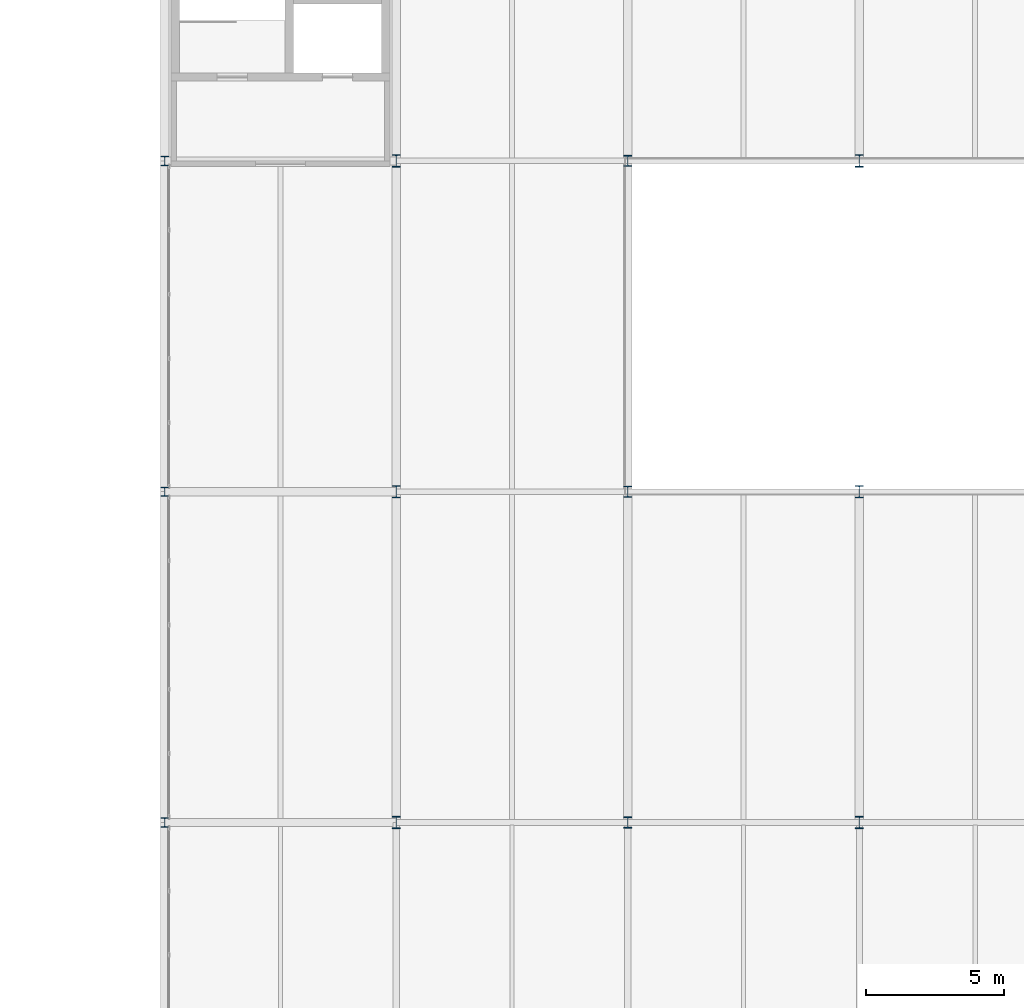
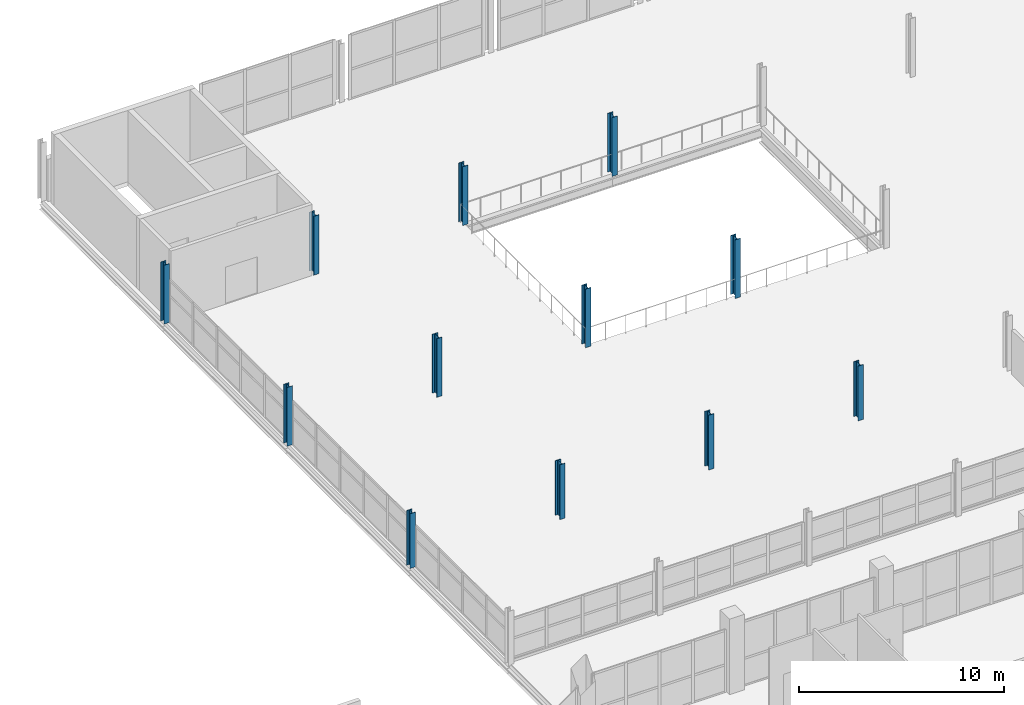
# One storey, part 2 of 103: 12 columns.
"""IFC4 building model written with IfcOpenShell, lengths in metres."""

from ifc_helpers import new_model, si_unit, direction, frame, origin, origin_2d, place, context, subcontext, project, spatial, i_section, extrude, material, material_profile, profile_set, type_object, element, save


model = new_model("IFC4")

# Units and contexts
model_context = context("Model", 3, precision=1e-05, world=origin(), true_north=direction((0.0, 1.0)))
body_context = subcontext(model_context, "Body", "Model", "MODEL_VIEW")
ifc_project = project(units=[si_unit("LENGTHUNIT", "METRE"), si_unit("AREAUNIT", "SQUARE_METRE"), si_unit("VOLUMEUNIT", "CUBIC_METRE"), si_unit("PLANEANGLEUNIT", "RADIAN"), si_unit("MASSUNIT", "GRAM", prefix="KILO")], contexts=[model_context])

# Site, building, storey
site_placement = place(None, origin())
site = spatial("IfcSite", under=ifc_project, at=site_placement, CompositionType="ELEMENT")
building_placement = place(site_placement, origin())
building = spatial("IfcBuilding", under=site, at=building_placement, Name="Veltarok Museum of Natural Sciences", CompositionType="ELEMENT")
storey_placement = place(building_placement, frame((0.0, 0.0, 21.89990234375)))
storey = spatial("IfcBuildingStorey", under=building, at=storey_placement, Name="L04", CompositionType="ELEMENT", Elevation=21.89990234375)

# Columns
ifc_material = material(Name="Steel S355J2", Category="steel")
ifc_material_profile_1 = material_profile(ifc_material, i_section(OverallWidth=0.300048828125, OverallDepth=0.340087890625, WebThickness=0.011962890625, FlangeThickness=0.021484375, FilletRadius=0.027099609375, at=origin_2d()), Name="HEB 340")
ifc_profile_set_1 = profile_set([ifc_material_profile_1], Name="Steel S355J2")
column_type_1 = type_object("IfcColumnType", Name="Perimeter Spine Column HEB 340", PredefinedType="COLUMN", material=ifc_profile_set_1)
column_1_placement = place(storey_placement, frame((40.0, 36.0, 0.0), z_axis=(0.0, 0.0, 1.0), x_axis=(1.0, 0.0, 0.0)))
element("IfcColumn", 1, at=column_1_placement, inside=storey, type_object=column_type_1, Name="Column COL-EXT05 L04 5/E", PredefinedType="COLUMN", context=body_context, shape_type="SweptSolid", body=[
    extrude(i_section(OverallWidth=0.300048828125, OverallDepth=0.340087890625, WebThickness=0.011962890625, FlangeThickness=0.021484375, FilletRadius=0.027099609375, at=origin_2d()), origin(), (0.0, 0.0, 1.0), 3.260009765625),
])
for number, where, z_axis, x_axis, name in (
    (2, (40.0, 48.0, 0.0), (0.0, 0.0, 1.0), (1.0, 0.0, 0.0), "Column COL-EXT05 L04 5/F"),
    (3, (40.0, 60.0, 0.0), (0.0, 0.0, 1.0), (1.0, 0.0, 0.0), "Column COL-EXT05 L04 5/G"),
):
    element("IfcColumn", number, at=place(storey_placement, frame(where, z_axis=z_axis, x_axis=x_axis)), inside=storey, type_object=column_type_1, Name=name, PredefinedType="COLUMN", context=body_context, shape_type="SweptSolid", body=[
        extrude(i_section(OverallWidth=0.300048828125, OverallDepth=0.340087890625, WebThickness=0.011962890625, FlangeThickness=0.021484375, FilletRadius=0.027099609375, at=origin_2d()), origin(), (0.0, 0.0, 1.0), 3.5),
    ])
ifc_material_profile_2 = material_profile(ifc_material, i_section(OverallWidth=0.300048828125, OverallDepth=0.39990234375, WebThickness=0.013427734375, FlangeThickness=0.02392578125, FilletRadius=0.027099609375, at=origin_2d()), Name="HEB 400")
ifc_profile_set_2 = profile_set([ifc_material_profile_2], Name="Steel S355J2")
column_type_2 = type_object("IfcColumnType", Name="Top Storey Column HEB 400", PredefinedType="COLUMN", material=ifc_profile_set_2)
column_2_placement = place(storey_placement, frame((56.800048828125, 36.0, 0.0), z_axis=(0.0, 0.0, 1.0), x_axis=(1.0, 0.0, 0.0)))
element("IfcColumn", 4, at=column_2_placement, inside=storey, type_object=column_type_2, Name="Column COL-S06 L04 7/E", PredefinedType="COLUMN", context=body_context, shape_type="SweptSolid", body=[
    extrude(i_section(OverallWidth=0.300048828125, OverallDepth=0.39990234375, WebThickness=0.013427734375, FlangeThickness=0.02392578125, FilletRadius=0.027099609375, at=origin_2d()), origin(), (0.0, 0.0, 1.0), 3.260009765625),
])
for number, where, z_axis, x_axis, name in (
    (5, (56.800048828125, 48.0, 0.0), (0.0, 0.0, 1.0), (1.0, 0.0, 0.0), "Column COL-S06 L04 7/F"),
    (6, (56.800048828125, 60.0, 0.0), (0.0, 0.0, 1.0), (1.0, 0.0, 0.0), "Column COL-S06 L04 7/G"),
):
    element("IfcColumn", number, at=place(storey_placement, frame(where, z_axis=z_axis, x_axis=x_axis)), inside=storey, type_object=column_type_2, Name=name, PredefinedType="COLUMN", context=body_context, shape_type="SweptSolid", body=[
        extrude(i_section(OverallWidth=0.300048828125, OverallDepth=0.39990234375, WebThickness=0.013427734375, FlangeThickness=0.02392578125, FilletRadius=0.027099609375, at=origin_2d()), origin(), (0.0, 0.0, 1.0), 3.5),
    ])
ifc_material_profile_3 = material_profile(ifc_material, i_section(OverallWidth=0.300048828125, OverallDepth=0.449951171875, WebThickness=0.013916015625, FlangeThickness=0.02587890625, FilletRadius=0.027099609375, at=origin_2d()), Name="HEB 450")
ifc_profile_set_3 = profile_set([ifc_material_profile_3], Name="Steel S355J2")
column_type_3 = type_object("IfcColumnType", Name="Upper Gallery Column HEB 450", PredefinedType="COLUMN", material=ifc_profile_set_3)
column_3_placement = place(storey_placement, frame((48.39990234375, 36.0, 0.0), z_axis=(0.0, 0.0, 1.0), x_axis=(1.0, 0.0, 0.0)))
element("IfcColumn", 7, at=column_3_placement, inside=storey, type_object=column_type_3, Name="Column COL-S11 L04 6/E", PredefinedType="COLUMN", context=body_context, shape_type="SweptSolid", body=[
    extrude(i_section(OverallWidth=0.300048828125, OverallDepth=0.449951171875, WebThickness=0.013916015625, FlangeThickness=0.02587890625, FilletRadius=0.027099609375, at=origin_2d()), origin(), (0.0, 0.0, 1.0), 3.260009765625),
])
for number, where, z_axis, x_axis, name in (
    (8, (48.39990234375, 48.0, 0.0), (0.0, 0.0, 1.0), (1.0, 0.0, 0.0), "Column COL-S11 L04 6/F"),
    (9, (48.39990234375, 60.0, 0.0), (0.0, 0.0, 1.0), (1.0, 0.0, 0.0), "Column COL-S11 L04 6/G"),
):
    element("IfcColumn", number, at=place(storey_placement, frame(where, z_axis=z_axis, x_axis=x_axis)), inside=storey, type_object=column_type_3, Name=name, PredefinedType="COLUMN", context=body_context, shape_type="SweptSolid", body=[
        extrude(i_section(OverallWidth=0.300048828125, OverallDepth=0.449951171875, WebThickness=0.013916015625, FlangeThickness=0.02587890625, FilletRadius=0.027099609375, at=origin_2d()), origin(), (0.0, 0.0, 1.0), 3.5),
    ])
column_4_placement = place(storey_placement, frame((65.199951171875, 36.0, 0.0), z_axis=(0.0, 0.0, 1.0), x_axis=(1.0, 0.0, 0.0)))
element("IfcColumn", 10, at=column_4_placement, inside=storey, type_object=column_type_3, Name="Column COL-S11 L04 8/E", PredefinedType="COLUMN", context=body_context, shape_type="SweptSolid", body=[
    extrude(i_section(OverallWidth=0.300048828125, OverallDepth=0.449951171875, WebThickness=0.013916015625, FlangeThickness=0.02587890625, FilletRadius=0.027099609375, at=origin_2d()), origin(), (0.0, 0.0, 1.0), 3.260009765625),
])
for number, where, z_axis, x_axis, name in (
    (11, (65.199951171875, 48.0, 0.0), (0.0, 0.0, 1.0), (1.0, 0.0, 0.0), "Column COL-S11 L04 8/F"),
    (12, (65.199951171875, 60.0, 0.0), (0.0, 0.0, 1.0), (1.0, 0.0, 0.0), "Column COL-S11 L04 8/G"),
):
    element("IfcColumn", number, at=place(storey_placement, frame(where, z_axis=z_axis, x_axis=x_axis)), inside=storey, type_object=column_type_3, Name=name, PredefinedType="COLUMN", context=body_context, shape_type="SweptSolid", body=[
        extrude(i_section(OverallWidth=0.300048828125, OverallDepth=0.449951171875, WebThickness=0.013916015625, FlangeThickness=0.02587890625, FilletRadius=0.027099609375, at=origin_2d()), origin(), (0.0, 0.0, 1.0), 3.5),
    ])

save(model, "model.ifc")
